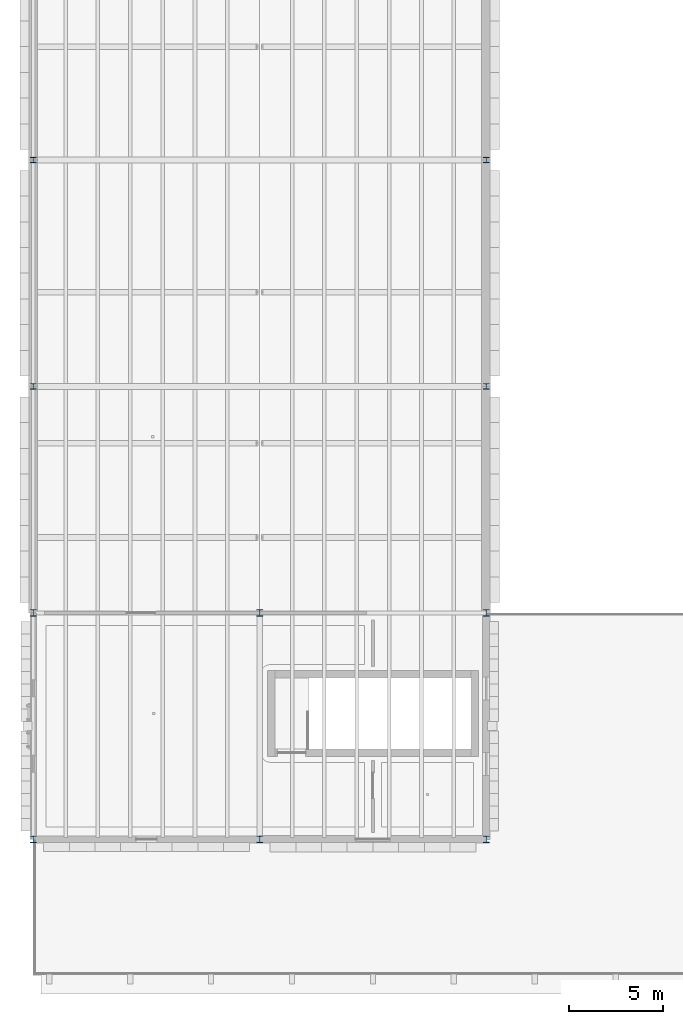
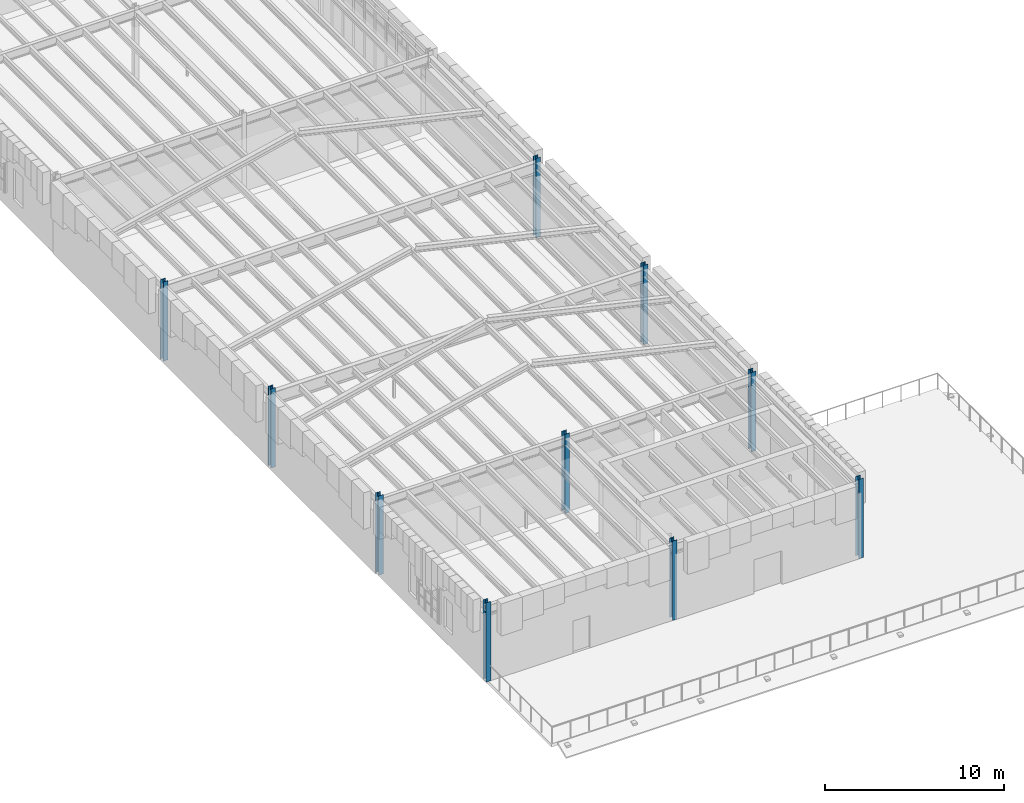
# One storey, part 1 of 100: 10 columns.
"""IFC4 building model written with IfcOpenShell, lengths in metres."""

from ifc_helpers import new_model, si_unit, direction, frame, origin, origin_2d, place, context, subcontext, project, spatial, i_section, extrude, material, material_profile, profile_set, type_object, element, save


model = new_model("IFC4")

# Units and contexts
model_context = context("Model", 3, precision=1e-05, world=origin(), true_north=direction((0.0, 1.0)))
body_context = subcontext(model_context, "Body", "Model", "MODEL_VIEW")
ifc_project = project(units=[si_unit("LENGTHUNIT", "METRE"), si_unit("AREAUNIT", "SQUARE_METRE"), si_unit("VOLUMEUNIT", "CUBIC_METRE"), si_unit("PLANEANGLEUNIT", "RADIAN"), si_unit("MASSUNIT", "GRAM", prefix="KILO")], contexts=[model_context])

# Site, building, storey
site_placement = place(None, origin())
site = spatial("IfcSite", under=ifc_project, at=site_placement, CompositionType="ELEMENT")
building_placement = place(site_placement, origin())
building = spatial("IfcBuilding", under=site, at=building_placement, Name="Zlatogorsky Bluff Art Gallery", CompositionType="ELEMENT")
storey_placement = place(building_placement, frame((0.0, 0.0, 5.39990234375)))
storey = spatial("IfcBuildingStorey", under=building, at=storey_placement, Name="L01", CompositionType="ELEMENT", Elevation=5.39990234375)

# Columns
ifc_material = material(Name="Steel S355", Category="steel")
ifc_material_profile_1 = material_profile(ifc_material, i_section(OverallWidth=0.300048828125, OverallDepth=0.360107421875, WebThickness=0.012451171875, FlangeThickness=0.0224609375, FilletRadius=0.027099609375, at=origin_2d()), Name="HEB 360")
ifc_profile_set_1 = profile_set([ifc_material_profile_1], Name="Steel S355")
column_type_1 = type_object("IfcColumnType", Name="Column CL-05 HEB 360", PredefinedType="COLUMN", material=ifc_profile_set_1)
for number, where, z_axis, x_axis, name in (
    (1, (0.0, 14.39990234375, 0.0), (0.0, 0.0, 1.0), (1.0, 0.0, 0.0), "Column CL-05 L01 A3"),
    (2, (0.0, 26.39990234375, 0.0), (0.0, 0.0, 1.0), (1.0, 0.0, 0.0), "Column CL-05 L01 A4"),
    (3, (12.0, 14.39990234375, 0.0), (0.0, 0.0, 1.0), (1.0, 0.0, 0.0), "Column CL-05 L01 B3"),
    (4, (12.0, 26.39990234375, 0.0), (0.0, 0.0, 1.0), (1.0, 0.0, 0.0), "Column CL-05 L01 B4"),
    (5, (24.0, 14.39990234375, 0.0), (0.0, 0.0, 1.0), (1.0, 0.0, 0.0), "Column CL-05 L01 C3"),
    (6, (24.0, 26.39990234375, 0.0), (0.0, 0.0, 1.0), (1.0, 0.0, 0.0), "Column CL-05 L01 C4"),
):
    element("IfcColumn", number, at=place(storey_placement, frame(where, z_axis=z_axis, x_axis=x_axis)), inside=storey, type_object=column_type_1, Name=name, PredefinedType="COLUMN", context=body_context, shape_type="SweptSolid", body=[
        extrude(i_section(OverallWidth=0.300048828125, OverallDepth=0.360107421875, WebThickness=0.012451171875, FlangeThickness=0.0224609375, FilletRadius=0.027099609375, at=origin_2d()), origin(), (0.0, 0.0, 1.0), 5.400146484375),
    ])
ifc_material_profile_2 = material_profile(ifc_material, i_section(OverallWidth=0.300048828125, OverallDepth=0.300048828125, WebThickness=0.010986328125, FlangeThickness=0.01904296875, FilletRadius=0.027099609375, at=origin_2d()), Name="HEB 300")
ifc_profile_set_2 = profile_set([ifc_material_profile_2], Name="Steel S355")
column_type_2 = type_object("IfcColumnType", Name="Column CL-06 HEB 300", PredefinedType="COLUMN", material=ifc_profile_set_2)
for number, where, z_axis, x_axis, name in (
    (7, (0.0, 38.39990234375, 0.0), (0.0, 0.0, 1.0), (1.0, 0.0, 0.0), "Column CL-06 L01 A5"),
    (8, (0.0, 50.39990234375, 0.0), (0.0, 0.0, 1.0), (1.0, 0.0, 0.0), "Column CL-06 L01 A6"),
    (9, (24.0, 38.39990234375, 0.0), (0.0, 0.0, 1.0), (1.0, 0.0, 0.0), "Column CL-06 L01 C5"),
    (10, (24.0, 50.39990234375, 0.0), (0.0, 0.0, 1.0), (1.0, 0.0, 0.0), "Column CL-06 L01 C6"),
):
    element("IfcColumn", number, at=place(storey_placement, frame(where, z_axis=z_axis, x_axis=x_axis)), inside=storey, type_object=column_type_2, Name=name, PredefinedType="COLUMN", context=body_context, shape_type="SweptSolid", body=[
        extrude(i_section(OverallWidth=0.300048828125, OverallDepth=0.300048828125, WebThickness=0.010986328125, FlangeThickness=0.01904296875, FilletRadius=0.027099609375, at=origin_2d()), origin(), (0.0, 0.0, 1.0), 5.400146484375),
    ])

save(model, "model.ifc")
